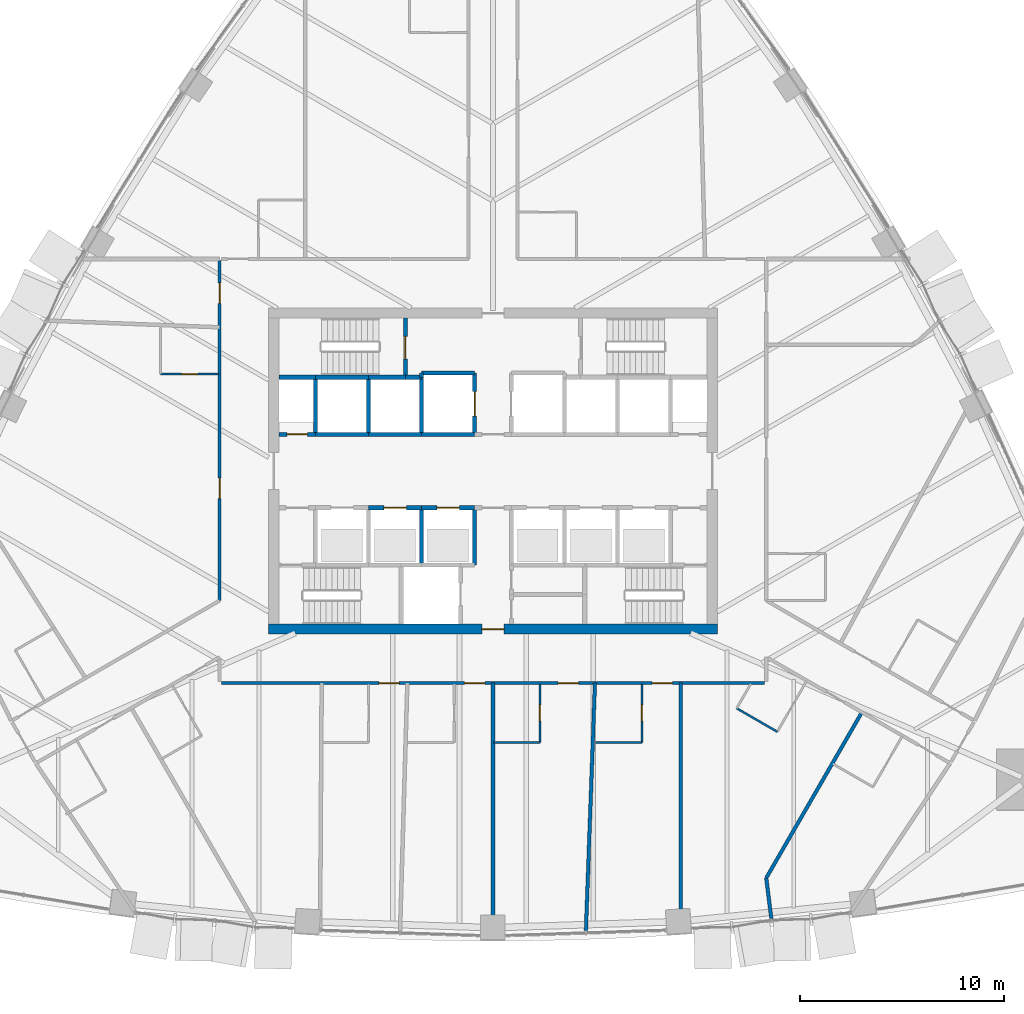
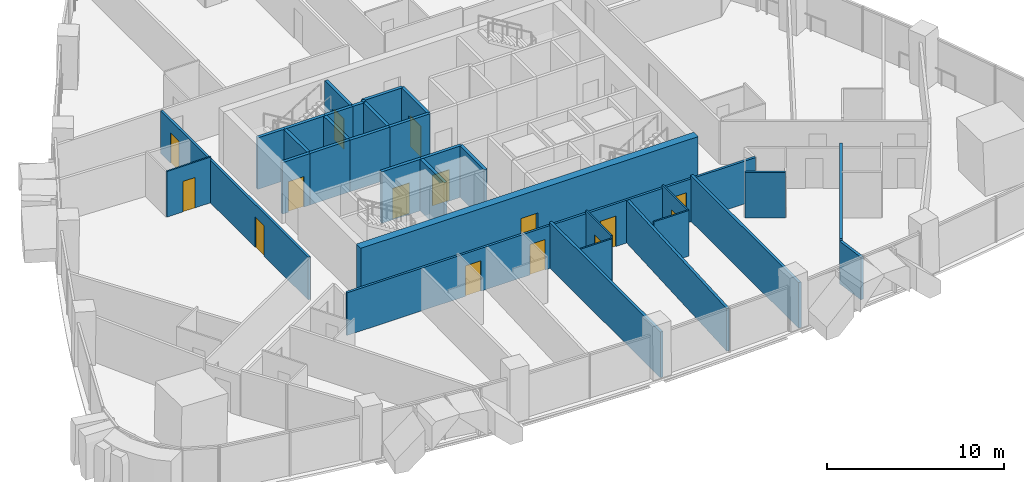
# One storey, part 11 of 18: 33 walls, 15 doors, 15 openings.
"""IFC4 building model written with IfcOpenShell, lengths in metres."""

from ifc_helpers import new_model, si_unit, direction, frame, frame_2d, origin, place, context, subcontext, project, spatial, rectangle, extrude, material, layer, layer_set, type_object, element, fill, save


model = new_model("IFC4")

# Units and contexts
model_context = context("Model", 3, precision=1e-05, world=origin(), true_north=direction((0.0, 1.0)))
body_context = subcontext(model_context, "Body", "Model", "MODEL_VIEW")
ifc_project = project(units=[si_unit("LENGTHUNIT", "METRE"), si_unit("AREAUNIT", "SQUARE_METRE"), si_unit("VOLUMEUNIT", "CUBIC_METRE"), si_unit("PLANEANGLEUNIT", "RADIAN"), si_unit("MASSUNIT", "GRAM", prefix="KILO")], contexts=[model_context])

# Site, building, storey
site_placement = place(None, origin())
site = spatial("IfcSite", under=ifc_project, at=site_placement, CompositionType="ELEMENT")
building_placement = place(site_placement, origin())
building = spatial("IfcBuilding", under=site, at=building_placement, Name="Sierra Prisma Convention Tower", CompositionType="ELEMENT")
storey_placement = place(building_placement, frame((0.0, 0.0, 81.300048828125)))
storey = spatial("IfcBuildingStorey", under=building, at=storey_placement, Name="L16", CompositionType="ELEMENT", Elevation=81.300048828125)

# Wall, opening, door
ifc_material_1 = material(Name="Gypsum board partition", Category="gypsum")
ifc_layer_1 = layer(ifc_material_1, 0.10009765625)
ifc_layer_set_1 = layer_set([ifc_layer_1], Name="Bathroom partition 100")
wall_type_1 = type_object("IfcWallType", Name="Bathroom partition 100", PredefinedType="PARTITIONING", material=ifc_layer_set_1)
wall_1_placement = place(storey_placement, frame((-13.429931640625, 4.7490234375, 0.0), z_axis=(0.0, 0.0, 1.0), x_axis=(-1.0, 0.0, 0.0)))
wall_1 = element("IfcWall", 1, at=wall_1_placement, inside=storey, type_object=wall_type_1, Name="Partition L16 bath 5", PredefinedType="PARTITIONING", context=body_context, shape_type="SweptSolid", body=[
    extrude(rectangle(XDim=2.8701171875, YDim=0.10009765625, at=frame_2d((1.43505859375, 0.0))), origin(), (0.0, 0.0, 1.0), 3.14990234375),
])
opening_1_placement = place(wall_1_placement, frame((1.034912109375, 0.0, 0.0)))
opening_1 = element("IfcOpeningElement", 2, at=opening_1_placement, cuts=wall_1, Name="Opening L16-D005", PredefinedType="OPENING", context=body_context, shape_type="SweptSolid", body=[
    extrude(rectangle(XDim=0.800048828125, YDim=2.10009765625, at=frame_2d((0.39990234375, 1.050048828125))), frame((0.0, 0.050048828125, 0.0), z_axis=(0.0, -1.0, 0.0), x_axis=(1.0, 0.0, 0.0)), (0.0, 0.0, 1.0), 0.10009765625),
])
ifc_material_2 = material(Name="Solid core timber door leaf", Category="wood")
door_type_1 = type_object("IfcDoorType", Name="Door 800x2100 plain", OperationType="SINGLE_SWING_LEFT", PredefinedType="DOOR", material=ifc_material_2)
door_1_placement = place(opening_1_placement, origin())
door_1 = element("IfcDoor", 3, at=door_1_placement, inside=storey, type_object=door_type_1, Name="Door L16 14", OperationType="SINGLE_SWING_RIGHT", OverallHeight=2.10009765625, OverallWidth=0.800048828125, PredefinedType="DOOR", context=body_context, shape_type="SweptSolid", body=[
    extrude(rectangle(XDim=0.800048828125, YDim=2.10009765625, at=frame_2d((0.39990234375, 1.050048828125))), frame((0.0, 0.02490234375, 0.0), z_axis=(0.0, -1.0, 0.0), x_axis=(1.0, 0.0, 0.0)), (0.0, 0.0, 1.0), 0.050048828125),
])
fill(opening_1, door_1)

wall_2_placement = place(storey_placement, frame((2.300048828125, -10.429931640625, 0.0), z_axis=(0.0, 0.0, 1.0), x_axis=(0.0, -1.0, 0.0)))
wall_2 = element("IfcWall", 4, at=wall_2_placement, inside=storey, type_object=wall_type_1, Name="Partition L16 bath 17", PredefinedType="PARTITIONING", context=body_context, shape_type="SweptSolid", body=[
    extrude(rectangle(XDim=2.8701171875, YDim=0.10009765625, at=frame_2d((1.43505859375, 0.0))), origin(), (0.0, 0.0, 1.0), 3.14990234375),
])
opening_2_placement = place(wall_2_placement, frame((1.034912109375, 0.0, 0.0)))
opening_2 = element("IfcOpeningElement", 5, at=opening_2_placement, cuts=wall_2, Name="Opening L16-D011", PredefinedType="OPENING", context=body_context, shape_type="SweptSolid", body=[
    extrude(rectangle(XDim=0.800048828125, YDim=2.10009765625, at=frame_2d((0.39990234375, 1.050048828125))), frame((0.0, 0.050048828125, 0.0), z_axis=(0.0, -1.0, 0.0), x_axis=(1.0, 0.0, 0.0)), (0.0, 0.0, 1.0), 0.10009765625),
])
door_2_placement = place(opening_2_placement, origin())
door_2 = element("IfcDoor", 6, at=door_2_placement, inside=storey, type_object=door_type_1, Name="Door L16 27", OperationType="SINGLE_SWING_LEFT", OverallHeight=2.10009765625, OverallWidth=0.800048828125, PredefinedType="DOOR", context=body_context, shape_type="SweptSolid", body=[
    extrude(rectangle(XDim=0.800048828125, YDim=2.10009765625, at=frame_2d((0.39990234375, 1.050048828125))), frame((0.0, 0.02490234375, 0.0), z_axis=(0.0, -1.0, 0.0), x_axis=(1.0, 0.0, 0.0)), (0.0, 0.0, 1.0), 0.050048828125),
])
fill(opening_2, door_2)

# Wall
wall_3_placement = place(storey_placement, frame((2.300048828125, -13.300048828125, 0.0), z_axis=(0.0, 0.0, 1.0), x_axis=(-1.0, 0.0, 0.0)))
element("IfcWall", 7, at=wall_3_placement, inside=storey, type_object=wall_type_1, Name="Partition L16 bath 18", PredefinedType="PARTITIONING", context=body_context, shape_type="SweptSolid", body=[
    extrude(rectangle(XDim=2.27001953125, YDim=0.10009765625, at=frame_2d((1.135009765625, 0.0))), origin(), (0.0, 0.0, 1.0), 2.947021484375),
])

# Wall, opening, door
wall_4_placement = place(storey_placement, frame((7.300048828125, -10.429931640625, 0.0), z_axis=(0.0, 0.0, 1.0), x_axis=(0.0, -1.0, 0.0)))
wall_4 = element("IfcWall", 8, at=wall_4_placement, inside=storey, type_object=wall_type_1, Name="Partition L16 bath 21", PredefinedType="PARTITIONING", context=body_context, shape_type="SweptSolid", body=[
    extrude(rectangle(XDim=2.8701171875, YDim=0.10009765625, at=frame_2d((1.43505859375, 0.0))), origin(), (0.0, 0.0, 1.0), 3.14990234375),
])
opening_3_placement = place(wall_4_placement, frame((1.034912109375, 0.0, 0.0)))
opening_3 = element("IfcOpeningElement", 9, at=opening_3_placement, cuts=wall_4, Name="Opening L16-D012", PredefinedType="OPENING", context=body_context, shape_type="SweptSolid", body=[
    extrude(rectangle(XDim=0.800048828125, YDim=2.10009765625, at=frame_2d((0.39990234375, 1.050048828125))), frame((0.0, 0.050048828125, 0.0), z_axis=(0.0, -1.0, 0.0), x_axis=(1.0, 0.0, 0.0)), (0.0, 0.0, 1.0), 0.10009765625),
])
door_3_placement = place(opening_3_placement, origin())
door_3 = element("IfcDoor", 10, at=door_3_placement, inside=storey, type_object=door_type_1, Name="Door L16 29", OperationType="SINGLE_SWING_RIGHT", OverallHeight=2.10009765625, OverallWidth=0.800048828125, PredefinedType="DOOR", context=body_context, shape_type="SweptSolid", body=[
    extrude(rectangle(XDim=0.800048828125, YDim=2.10009765625, at=frame_2d((0.39990234375, 1.050048828125))), frame((0.0, 0.02490234375, 0.0), z_axis=(0.0, -1.0, 0.0), x_axis=(1.0, 0.0, 0.0)), (0.0, 0.0, 1.0), 0.050048828125),
])
fill(opening_3, door_3)

# Walls
wall_5_placement = place(storey_placement, frame((7.300048828125, -13.300048828125, 0.0), z_axis=(0.0, 0.0, 1.0), x_axis=(-1.0, 0.0, 0.0)))
element("IfcWall", 11, at=wall_5_placement, inside=storey, type_object=wall_type_1, Name="Partition L16 bath 22", PredefinedType="PARTITIONING", context=body_context, shape_type="SweptSolid", body=[
    extrude(rectangle(XDim=2.27001953125, YDim=0.10009765625, at=frame_2d((1.135009765625, 0.0))), origin(), (0.0, 0.0, 1.0), 3.14990234375),
])
wall_6_placement = place(storey_placement, frame((13.94189453125, -12.78369140625, 0.0), z_axis=(0.0, 0.0, 1.0), x_axis=(-0.866007057882, 0.500031774688, 0.0)))
element("IfcWall", 12, at=wall_6_placement, inside=storey, type_object=wall_type_1, Name="Partition L16 bath 24", PredefinedType="PARTITIONING", context=body_context, shape_type="SweptSolid", body=[
    extrude(rectangle(XDim=2.300048828125, YDim=0.10009765625, at=frame_2d((1.14990234375, 0.0))), origin(), (0.0, 0.0, 1.0), 3.14990234375),
])

# Wall, opening, door
ifc_material_3 = material(Name="Concrete C30/37", Category="concrete")
ifc_layer_2 = layer(ifc_material_3, 0.199951171875)
ifc_layer_set_2 = layer_set([ifc_layer_2], Name="Core wall RC 200 C30/37")
wall_type_2 = type_object("IfcWallType", Name="Core wall RC 200 C30/37", PredefinedType="SOLIDWALL", material=ifc_layer_set_2)
wall_7_placement = place(storey_placement, frame((-8.699951171875, 1.800048828125, 0.0), z_axis=(0.0, 0.0, 1.0), x_axis=(-1.0, 0.0, 0.0)))
wall_7 = element("IfcWall", 13, at=wall_7_placement, inside=storey, type_object=wall_type_2, Name="Core wall L16 3", PredefinedType="SOLIDWALL", context=body_context, shape_type="SweptSolid", body=[
    extrude(rectangle(XDim=1.800048828125, YDim=0.199951171875, at=frame_2d((0.89990234375, 0.0))), origin(), (0.0, 0.0, 1.0), 3.550048828125),
])
opening_4_placement = place(wall_7_placement, frame((0.39990234375, 0.0, 0.0)))
opening_4 = element("IfcOpeningElement", 14, at=opening_4_placement, cuts=wall_7, Name="Opening L16-D029", PredefinedType="OPENING", context=body_context, shape_type="SweptSolid", body=[
    extrude(rectangle(XDim=1.0, YDim=2.10009765625, at=frame_2d((0.5, 1.050048828125))), frame((0.0, 0.10009765625, 0.0), z_axis=(0.0, -1.0, 0.0), x_axis=(1.0, 0.0, 0.0)), (0.0, 0.0, 1.0), 0.199951171875),
])
ifc_material_4 = material(Name="Steel fire door leaf", Category="steel")
door_type_2 = type_object("IfcDoorType", Name="Door 1000x2100 FD60S", OperationType="SINGLE_SWING_LEFT", PredefinedType="DOOR", material=ifc_material_4)
door_4_placement = place(opening_4_placement, origin())
door_4 = element("IfcDoor", 15, at=door_4_placement, inside=storey, type_object=door_type_2, Name="Door L16 51", OperationType="SINGLE_SWING_RIGHT", OverallHeight=2.10009765625, OverallWidth=1.0, PredefinedType="DOOR", context=body_context, shape_type="SweptSolid", body=[
    extrude(rectangle(XDim=1.0, YDim=2.10009765625, at=frame_2d((0.5, 1.050048828125))), frame((0.0, 0.02490234375, 0.0), z_axis=(0.0, -1.0, 0.0), x_axis=(1.0, 0.0, 0.0)), (0.0, 0.0, 1.0), 0.050048828125),
])
fill(opening_4, door_4)

# Walls
wall_8_placement = place(storey_placement, frame((-8.699951171875, 4.60009765625, 0.0), z_axis=(0.0, 0.0, 1.0), x_axis=(-1.0, 0.0, 0.0)))
element("IfcWall", 16, at=wall_8_placement, inside=storey, type_object=wall_type_2, Name="Core wall L16 4", PredefinedType="SOLIDWALL", context=body_context, shape_type="SweptSolid", body=[
    extrude(rectangle(XDim=1.800048828125, YDim=0.199951171875, at=frame_2d((0.89990234375, 0.0))), origin(), (0.0, 0.0, 1.0), 3.550048828125),
])
wall_9_placement = place(storey_placement, frame((-6.10009765625, 1.800048828125, 0.0), z_axis=(0.0, 0.0, 1.0), x_axis=(-1.0, 0.0, 0.0)))
element("IfcWall", 17, at=wall_9_placement, inside=storey, type_object=wall_type_2, Name="Core wall L16 8", PredefinedType="SOLIDWALL", context=body_context, shape_type="SweptSolid", body=[
    extrude(rectangle(XDim=2.599853515625, YDim=0.199951171875, at=frame_2d((1.2998046875, 0.0))), origin(), (0.0, 0.0, 1.0), 3.550048828125),
])
wall_10_placement = place(storey_placement, frame((-8.699951171875, 1.800048828125, 0.0), z_axis=(0.0, 0.0, 1.0), x_axis=(0.0, 1.0, 0.0)))
element("IfcWall", 18, at=wall_10_placement, inside=storey, type_object=wall_type_2, Name="Core wall L16 9", PredefinedType="SOLIDWALL", context=body_context, shape_type="SweptSolid", body=[
    extrude(rectangle(XDim=2.800048828125, YDim=0.199951171875, at=frame_2d((1.39990234375, 0.0))), origin(), (0.0, 0.0, 1.0), 3.550048828125),
])
wall_11_placement = place(storey_placement, frame((-6.10009765625, 4.60009765625, 0.0), z_axis=(0.0, 0.0, 1.0), x_axis=(-1.0, 0.0, 0.0)))
element("IfcWall", 19, at=wall_11_placement, inside=storey, type_object=wall_type_2, Name="Core wall L16 10", PredefinedType="SOLIDWALL", context=body_context, shape_type="SweptSolid", body=[
    extrude(rectangle(XDim=2.599853515625, YDim=0.199951171875, at=frame_2d((1.2998046875, 0.0))), origin(), (0.0, 0.0, 1.0), 3.550048828125),
])

# Wall, opening, door
wall_12_placement = place(storey_placement, frame((-6.10009765625, -1.800048828125, 0.0), z_axis=(0.0, 0.0, 1.0), x_axis=(1.0, 0.0, 0.0)))
wall_12 = element("IfcWall", 20, at=wall_12_placement, inside=storey, type_object=wall_type_2, Name="Core wall L16 13", PredefinedType="SOLIDWALL", context=body_context, shape_type="SweptSolid", body=[
    extrude(rectangle(XDim=2.60009765625, YDim=0.199951171875, at=frame_2d((1.300048828125, 0.0))), origin(), (0.0, 0.0, 1.0), 3.550048828125),
])
opening_5_placement = place(wall_12_placement, frame((0.75, 0.0, 0.0)))
opening_5 = element("IfcOpeningElement", 21, at=opening_5_placement, cuts=wall_12, Name="Opening L16-D017", PredefinedType="OPENING", context=body_context, shape_type="SweptSolid", body=[
    extrude(rectangle(XDim=1.10009765625, YDim=2.10009765625, at=frame_2d((0.550048828125, 1.050048828125))), frame((0.0, 0.10009765625, 0.0), z_axis=(0.0, -1.0, 0.0), x_axis=(1.0, 0.0, 0.0)), (0.0, 0.0, 1.0), 0.199951171875),
])
ifc_material_5 = material(Name="Steel fire door leaf", Category="steel")
door_type_3 = type_object("IfcDoorType", Name="Door 1100x2100 EI 90 sliding lift landing", OperationType="SLIDING_TO_LEFT", PredefinedType="DOOR", material=ifc_material_5)
door_5_placement = place(opening_5_placement, origin())
door_5 = element("IfcDoor", 22, at=door_5_placement, inside=storey, type_object=door_type_3, Name="Door L16 39", OperationType="SLIDING_TO_LEFT", OverallHeight=2.10009765625, OverallWidth=1.10009765625, PredefinedType="DOOR", context=body_context, shape_type="SweptSolid", body=[
    extrude(rectangle(XDim=1.10009765625, YDim=2.10009765625, at=frame_2d((0.550048828125, 1.050048828125))), frame((0.0, 0.02490234375, 0.0), z_axis=(0.0, -1.0, 0.0), x_axis=(1.0, 0.0, 0.0)), (0.0, 0.0, 1.0), 0.050048828125),
])
fill(opening_5, door_5)

# Walls
wall_13_placement = place(storey_placement, frame((-3.5, 1.800048828125, 0.0), z_axis=(0.0, 0.0, 1.0), x_axis=(-1.0, 0.0, 0.0)))
element("IfcWall", 23, at=wall_13_placement, inside=storey, type_object=wall_type_2, Name="Core wall L16 14", PredefinedType="SOLIDWALL", context=body_context, shape_type="SweptSolid", body=[
    extrude(rectangle(XDim=2.60009765625, YDim=0.199951171875, at=frame_2d((1.300048828125, 0.0))), origin(), (0.0, 0.0, 1.0), 3.550048828125),
])
wall_14_placement = place(storey_placement, frame((-6.10009765625, 1.800048828125, 0.0), z_axis=(0.0, 0.0, 1.0), x_axis=(0.0, 1.0, 0.0)))
element("IfcWall", 24, at=wall_14_placement, inside=storey, type_object=wall_type_2, Name="Core wall L16 15", PredefinedType="SOLIDWALL", context=body_context, shape_type="SweptSolid", body=[
    extrude(rectangle(XDim=2.800048828125, YDim=0.199951171875, at=frame_2d((1.39990234375, 0.0))), origin(), (0.0, 0.0, 1.0), 3.550048828125),
])
wall_15_placement = place(storey_placement, frame((-4.300048828125, 4.60009765625, 0.0), z_axis=(0.0, 0.0, 1.0), x_axis=(-1.0, 0.0, 0.0)))
element("IfcWall", 25, at=wall_15_placement, inside=storey, type_object=wall_type_2, Name="Core wall L16 16", PredefinedType="SOLIDWALL", context=body_context, shape_type="SweptSolid", body=[
    extrude(rectangle(XDim=1.800048828125, YDim=0.199951171875, at=frame_2d((0.89990234375, 0.0))), origin(), (0.0, 0.0, 1.0), 3.550048828125),
])
wall_16_placement = place(storey_placement, frame((-3.5, 4.60009765625, 0.0), z_axis=(0.0, 0.0, 1.0), x_axis=(-1.0, 0.0, 0.0)))
element("IfcWall", 26, at=wall_16_placement, inside=storey, type_object=wall_type_2, Name="Core wall L16 19", PredefinedType="SOLIDWALL", context=body_context, shape_type="SweptSolid", body=[
    extrude(rectangle(XDim=0.800048828125, YDim=0.199951171875, at=frame_2d((0.39990234375, 0.0))), origin(), (0.0, 0.0, 1.0), 3.550048828125),
])

# Wall, opening, door
wall_17_placement = place(storey_placement, frame((-4.300048828125, 4.60009765625, 0.0), z_axis=(0.0, 0.0, 1.0), x_axis=(0.0, 1.0, 0.0)))
wall_17 = element("IfcWall", 27, at=wall_17_placement, inside=storey, type_object=wall_type_2, Name="Core wall L16 20", PredefinedType="SOLIDWALL", context=body_context, shape_type="SweptSolid", body=[
    extrude(rectangle(XDim=2.89990234375, YDim=0.199951171875, at=frame_2d((1.449951171875, 0.0))), origin(), (0.0, 0.0, 1.0), 3.550048828125),
])
opening_6_placement = place(wall_17_placement, frame((0.89990234375, 0.0, 0.0)))
opening_6 = element("IfcOpeningElement", 28, at=opening_6_placement, cuts=wall_17, Name="Opening L16-D033", PredefinedType="OPENING", context=body_context, shape_type="SweptSolid", body=[
    extrude(rectangle(XDim=1.10009765625, YDim=2.10009765625, at=frame_2d((0.550048828125, 1.050048828125))), frame((0.0, 0.10009765625, 0.0), z_axis=(0.0, -1.0, 0.0), x_axis=(1.0, 0.0, 0.0)), (0.0, 0.0, 1.0), 0.199951171875),
])
ifc_material_6 = material(Name="Steel fire door leaf", Category="steel")
door_type_4 = type_object("IfcDoorType", Name="Door 1100x2100 FD90S", OperationType="SINGLE_SWING_LEFT", PredefinedType="DOOR", material=ifc_material_6)
door_6_placement = place(opening_6_placement, origin())
door_6 = element("IfcDoor", 29, at=door_6_placement, inside=storey, type_object=door_type_4, Name="Door L16 55", OperationType="SINGLE_SWING_RIGHT", OverallHeight=2.10009765625, OverallWidth=1.10009765625, PredefinedType="DOOR", context=body_context, shape_type="SweptSolid", body=[
    extrude(rectangle(XDim=1.10009765625, YDim=2.10009765625, at=frame_2d((0.550048828125, 1.050048828125))), frame((0.0, 0.02490234375, 0.0), z_axis=(0.0, -1.0, 0.0), x_axis=(1.0, 0.0, 0.0)), (0.0, 0.0, 1.0), 0.050048828125),
])
fill(opening_6, door_6)

# Wall
wall_18_placement = place(storey_placement, frame((-3.5, -4.60009765625, 0.0), z_axis=(0.0, 0.0, 1.0), x_axis=(0.0, 1.0, 0.0)))
element("IfcWall", 30, at=wall_18_placement, inside=storey, type_object=wall_type_2, Name="Core wall L16 22", PredefinedType="SOLIDWALL", context=body_context, shape_type="SweptSolid", body=[
    extrude(rectangle(XDim=2.800048828125, YDim=0.199951171875, at=frame_2d((1.39990234375, 0.0))), origin(), (0.0, 0.0, 1.0), 3.550048828125),
])

# Wall, opening, door
wall_19_placement = place(storey_placement, frame((-3.5, -1.800048828125, 0.0), z_axis=(0.0, 0.0, 1.0), x_axis=(1.0, 0.0, 0.0)))
wall_19 = element("IfcWall", 31, at=wall_19_placement, inside=storey, type_object=wall_type_2, Name="Core wall L16 23", PredefinedType="SOLIDWALL", context=body_context, shape_type="SweptSolid", body=[
    extrude(rectangle(XDim=2.60009765625, YDim=0.199951171875, at=frame_2d((1.300048828125, 0.0))), origin(), (0.0, 0.0, 1.0), 3.550048828125),
])
opening_7_placement = place(wall_19_placement, frame((0.75, 0.0, 0.0)))
opening_7 = element("IfcOpeningElement", 32, at=opening_7_placement, cuts=wall_19, Name="Opening L16-D018", PredefinedType="OPENING", context=body_context, shape_type="SweptSolid", body=[
    extrude(rectangle(XDim=1.10009765625, YDim=2.10009765625, at=frame_2d((0.550048828125, 1.050048828125))), frame((0.0, 0.10009765625, 0.0), z_axis=(0.0, -1.0, 0.0), x_axis=(1.0, 0.0, 0.0)), (0.0, 0.0, 1.0), 0.199951171875),
])
door_7_placement = place(opening_7_placement, origin())
door_7 = element("IfcDoor", 33, at=door_7_placement, inside=storey, type_object=door_type_3, Name="Door L16 40", OperationType="SLIDING_TO_LEFT", OverallHeight=2.10009765625, OverallWidth=1.10009765625, PredefinedType="DOOR", context=body_context, shape_type="SweptSolid", body=[
    extrude(rectangle(XDim=1.10009765625, YDim=2.10009765625, at=frame_2d((0.550048828125, 1.050048828125))), frame((0.0, 0.02490234375, 0.0), z_axis=(0.0, -1.0, 0.0), x_axis=(1.0, 0.0, 0.0)), (0.0, 0.0, 1.0), 0.050048828125),
])
fill(opening_7, door_7)

# Walls
wall_20_placement = place(storey_placement, frame((-0.89990234375, 1.800048828125, 0.0), z_axis=(0.0, 0.0, 1.0), x_axis=(-1.0, 0.0, 0.0)))
element("IfcWall", 34, at=wall_20_placement, inside=storey, type_object=wall_type_2, Name="Core wall L16 24", PredefinedType="SOLIDWALL", context=body_context, shape_type="SweptSolid", body=[
    extrude(rectangle(XDim=2.60009765625, YDim=0.199951171875, at=frame_2d((1.300048828125, 0.0))), origin(), (0.0, 0.0, 1.0), 3.550048828125),
])
wall_21_placement = place(storey_placement, frame((-3.5, 4.60009765625, 0.0), z_axis=(0.0, 0.0, 1.0), x_axis=(0.0, -1.0, 0.0)))
element("IfcWall", 35, at=wall_21_placement, inside=storey, type_object=wall_type_2, Name="Core wall L16 25", PredefinedType="SOLIDWALL", context=body_context, shape_type="SweptSolid", body=[
    extrude(rectangle(XDim=2.800048828125, YDim=0.199951171875, at=frame_2d((1.39990234375, 0.0))), origin(), (0.0, 0.0, 1.0), 3.550048828125),
])

# Wall, opening, door
wall_22_placement = place(storey_placement, frame((-0.89990234375, 1.800048828125, 0.0), z_axis=(0.0, 0.0, 1.0), x_axis=(0.0, 1.0, 0.0)))
wall_22 = element("IfcWall", 36, at=wall_22_placement, inside=storey, type_object=wall_type_2, Name="Core wall L16 26", PredefinedType="SOLIDWALL", context=body_context, shape_type="SweptSolid", body=[
    extrude(rectangle(XDim=3.0, YDim=0.199951171875, at=frame_2d((1.5, 0.0))), origin(), (0.0, 0.0, 1.0), 3.550048828125),
])
opening_8_placement = place(wall_22_placement, frame((0.89990234375, 0.0, 0.0)))
opening_8 = element("IfcOpeningElement", 37, at=opening_8_placement, cuts=wall_22, Name="Opening L16-D022", PredefinedType="OPENING", context=body_context, shape_type="SweptSolid", body=[
    extrude(rectangle(XDim=1.199951171875, YDim=2.10009765625, at=frame_2d((0.60009765625, 1.050048828125))), frame((0.0, 0.10009765625, 0.0), z_axis=(0.0, -1.0, 0.0), x_axis=(1.0, 0.0, 0.0)), (0.0, 0.0, 1.0), 0.199951171875),
])
ifc_material_7 = material(Name="Steel fire door leaf", Category="steel")
door_type_5 = type_object("IfcDoorType", Name="Door 1200x2100 EI 90 sliding lift landing", OperationType="SLIDING_TO_LEFT", PredefinedType="DOOR", material=ifc_material_7)
door_8_placement = place(opening_8_placement, origin())
door_8 = element("IfcDoor", 38, at=door_8_placement, inside=storey, type_object=door_type_5, Name="Door L16 44", OperationType="SLIDING_TO_RIGHT", OverallHeight=2.10009765625, OverallWidth=1.199951171875, PredefinedType="DOOR", context=body_context, shape_type="SweptSolid", body=[
    extrude(rectangle(XDim=1.199951171875, YDim=2.10009765625, at=frame_2d((0.60009765625, 1.050048828125))), frame((0.0, 0.02490234375, 0.0), z_axis=(0.0, -1.0, 0.0), x_axis=(1.0, 0.0, 0.0)), (0.0, 0.0, 1.0), 0.050048828125),
])
fill(opening_8, door_8)

# Walls
wall_23_placement = place(storey_placement, frame((-0.89990234375, 4.800048828125, 0.0), z_axis=(0.0, 0.0, 1.0), x_axis=(-1.0, 0.0, 0.0)))
element("IfcWall", 39, at=wall_23_placement, inside=storey, type_object=wall_type_2, Name="Core wall L16 27", PredefinedType="SOLIDWALL", context=body_context, shape_type="SweptSolid", body=[
    extrude(rectangle(XDim=2.60009765625, YDim=0.199951171875, at=frame_2d((1.300048828125, 0.0))), origin(), (0.0, 0.0, 1.0), 3.550048828125),
])
wall_24_placement = place(storey_placement, frame((-3.5, 4.800048828125, 0.0), z_axis=(0.0, 0.0, 1.0), x_axis=(0.0, -1.0, 0.0)))
element("IfcWall", 40, at=wall_24_placement, inside=storey, type_object=wall_type_2, Name="Core wall L16 28", PredefinedType="SOLIDWALL", context=body_context, shape_type="SweptSolid", body=[
    extrude(rectangle(XDim=0.199951171875, YDim=0.199951171875, at=frame_2d((0.10009765625, 0.0))), origin(), (0.0, 0.0, 1.0), 3.550048828125),
])
wall_25_placement = place(storey_placement, frame((-0.89990234375, -4.60009765625, 0.0), z_axis=(0.0, 0.0, 1.0), x_axis=(0.0, 1.0, 0.0)))
element("IfcWall", 41, at=wall_25_placement, inside=storey, type_object=wall_type_2, Name="Core wall L16 31", PredefinedType="SOLIDWALL", context=body_context, shape_type="SweptSolid", body=[
    extrude(rectangle(XDim=2.800048828125, YDim=0.199951171875, at=frame_2d((1.39990234375, 0.0))), origin(), (0.0, 0.0, 1.0), 3.550048828125),
])

# Wall, opening, door
ifc_material_8 = material(Name="Concrete C60/75", Category="concrete")
ifc_layer_3 = layer(ifc_material_8, 0.5)
ifc_layer_set_3 = layer_set([ifc_layer_3], Name="Core wall RC 500 C60/75")
wall_type_3 = type_object("IfcWallType", Name="Core wall RC 500 C60/75", PredefinedType="SHEAR", material=ifc_layer_set_3)
wall_26_placement = place(storey_placement, frame((-11.0, -7.75, 0.0), z_axis=(0.0, 0.0, 1.0), x_axis=(1.0, 0.0, 0.0)))
wall_26 = element("IfcWall", 42, at=wall_26_placement, inside=storey, type_object=wall_type_3, Name="Core wall S L16", PredefinedType="SHEAR", context=body_context, shape_type="SweptSolid", body=[
    extrude(rectangle(XDim=22.0, YDim=0.5, at=frame_2d((11.0, 0.0))), origin(), (0.0, 0.0, 1.0), 3.699951171875),
])
opening_9_placement = place(wall_26_placement, frame((10.449951171875, 0.0, 0.0)))
opening_9 = element("IfcOpeningElement", 43, at=opening_9_placement, cuts=wall_26, Name="Opening L16-D061", PredefinedType="OPENING", context=body_context, shape_type="SweptSolid", body=[
    extrude(rectangle(XDim=1.10009765625, YDim=2.10009765625, at=frame_2d((0.550048828125, 1.050048828125))), frame((0.0, 0.25, 0.0), z_axis=(0.0, -1.0, 0.0), x_axis=(1.0, 0.0, 0.0)), (0.0, 0.0, 1.0), 0.5),
])
ifc_material_9 = material(Name="Steel fire door leaf", Category="steel")
door_type_6 = type_object("IfcDoorType", Name="Door 1100x2100 FD30S", OperationType="SINGLE_SWING_LEFT", PredefinedType="DOOR", material=ifc_material_9)
door_9_placement = place(opening_9_placement, origin())
door_9 = element("IfcDoor", 44, at=door_9_placement, inside=storey, type_object=door_type_6, Name="Door L16 62", OperationType="SINGLE_SWING_LEFT", OverallHeight=2.10009765625, OverallWidth=1.10009765625, PredefinedType="DOOR", context=body_context, shape_type="SweptSolid", body=[
    extrude(rectangle(XDim=1.10009765625, YDim=2.10009765625, at=frame_2d((0.550048828125, 1.050048828125))), frame((0.0, 0.02490234375, 0.0), z_axis=(0.0, -1.0, 0.0), x_axis=(1.0, 0.0, 0.0)), (0.0, 0.0, 1.0), 0.050048828125),
])
fill(opening_9, door_9)

# Wall, openings, doors
ifc_material_10 = material(Name="Gypsum board partition", Category="gypsum")
ifc_layer_4 = layer(ifc_material_10, 0.14990234375)
ifc_layer_set_4 = layer_set([ifc_layer_4], Name="Corridor wall 150 gypsum EI 60")
wall_type_4 = type_object("IfcWallType", Name="Corridor wall 150 gypsum EI 60", PredefinedType="PARTITIONING", material=ifc_layer_set_4)
wall_27_placement = place(storey_placement, frame((-13.39990234375, 10.320068359375, 0.0), z_axis=(0.0, 0.0, 1.0), x_axis=(0.0, -1.0, 0.0)))
wall_27 = element("IfcWall", 45, at=wall_27_placement, inside=storey, type_object=wall_type_4, Name="Partition L16 corr 2", PredefinedType="PARTITIONING", context=body_context, shape_type="SweptSolid", body=[
    extrude(rectangle(XDim=16.6708984375, YDim=0.14990234375, at=frame_2d((8.33544921875, 0.0))), origin(), (0.0, 0.0, 1.0), 2.947021484375),
])
opening_10_placement = place(wall_27_placement, frame((1.095458984375, 0.0, 0.0)))
opening_10 = element("IfcOpeningElement", 46, at=opening_10_placement, cuts=wall_27, Name="Opening L16-D044", PredefinedType="OPENING", context=body_context, shape_type="SweptSolid", body=[
    extrude(rectangle(XDim=1.0, YDim=2.10009765625, at=frame_2d((0.5, 1.050048828125))), frame((0.0, 0.074951171875, 0.0), z_axis=(0.0, -1.0, 0.0), x_axis=(1.0, 0.0, 0.0)), (0.0, 0.0, 1.0), 0.14990234375),
])
opening_11_placement = place(wall_27_placement, frame((10.6708984375, 0.0, 0.0)))
opening_11 = element("IfcOpeningElement", 47, at=opening_11_placement, cuts=wall_27, Name="Opening L16-D045", PredefinedType="OPENING", context=body_context, shape_type="SweptSolid", body=[
    extrude(rectangle(XDim=1.0, YDim=2.10009765625, at=frame_2d((0.5, 1.050048828125))), frame((0.0, 0.074951171875, 0.0), z_axis=(0.0, -1.0, 0.0), x_axis=(1.0, 0.0, 0.0)), (0.0, 0.0, 1.0), 0.14990234375),
])
ifc_material_11 = material(Name="Steel fire door leaf", Category="steel")
door_type_7 = type_object("IfcDoorType", Name="Door 1000x2100 FD30S", OperationType="SINGLE_SWING_LEFT", PredefinedType="DOOR", material=ifc_material_11)
door_10_placement = place(opening_10_placement, origin())
door_10 = element("IfcDoor", 48, at=door_10_placement, inside=storey, type_object=door_type_7, Name="Door L16 12", OperationType="SINGLE_SWING_RIGHT", OverallHeight=2.10009765625, OverallWidth=1.0, PredefinedType="DOOR", context=body_context, shape_type="SweptSolid", body=[
    extrude(rectangle(XDim=1.0, YDim=2.10009765625, at=frame_2d((0.5, 1.050048828125))), frame((0.0, 0.02490234375, 0.0), z_axis=(0.0, -1.0, 0.0), x_axis=(1.0, 0.0, 0.0)), (0.0, 0.0, 1.0), 0.050048828125),
])
fill(opening_10, door_10)
door_11_placement = place(opening_11_placement, origin())
door_11 = element("IfcDoor", 49, at=door_11_placement, inside=storey, type_object=door_type_7, Name="Door L16 13", OperationType="SINGLE_SWING_RIGHT", OverallHeight=2.10009765625, OverallWidth=1.0, PredefinedType="DOOR", context=body_context, shape_type="SweptSolid", body=[
    extrude(rectangle(XDim=1.0, YDim=2.10009765625, at=frame_2d((0.5, 1.050048828125))), frame((0.0, 0.02490234375, 0.0), z_axis=(0.0, -1.0, 0.0), x_axis=(1.0, 0.0, 0.0)), (0.0, 0.0, 1.0), 0.050048828125),
])
fill(opening_11, door_11)

wall_28_placement = place(storey_placement, frame((-13.320068359375, -10.39990234375, 0.0), z_axis=(0.0, 0.0, 1.0), x_axis=(1.0, 0.0, 0.0)))
wall_28 = element("IfcWall", 50, at=wall_28_placement, inside=storey, type_object=wall_type_4, Name="Partition L16 corr 6", PredefinedType="PARTITIONING", context=body_context, shape_type="SweptSolid", body=[
    extrude(rectangle(XDim=26.64013671875, YDim=0.14990234375, at=frame_2d((13.320068359375, 0.0))), origin(), (0.0, 0.0, 1.0), 2.947021484375),
])
opening_12_placement = place(wall_28_placement, frame((7.719970703125, 0.0, 0.0)))
opening_12 = element("IfcOpeningElement", 51, at=opening_12_placement, cuts=wall_28, Name="Opening L16-D050", PredefinedType="OPENING", context=body_context, shape_type="SweptSolid", body=[
    extrude(rectangle(XDim=1.0, YDim=2.10009765625, at=frame_2d((0.5, 1.050048828125))), frame((0.0, 0.074951171875, 0.0), z_axis=(0.0, -1.0, 0.0), x_axis=(1.0, 0.0, 0.0)), (0.0, 0.0, 1.0), 0.14990234375),
])
opening_13_placement = place(wall_28_placement, frame((11.919921875, 0.0, 0.0)))
opening_13 = element("IfcOpeningElement", 52, at=opening_13_placement, cuts=wall_28, Name="Opening L16-D051", PredefinedType="OPENING", context=body_context, shape_type="SweptSolid", body=[
    extrude(rectangle(XDim=1.0, YDim=2.10009765625, at=frame_2d((0.5, 1.050048828125))), frame((0.0, 0.074951171875, 0.0), z_axis=(0.0, -1.0, 0.0), x_axis=(1.0, 0.0, 0.0)), (0.0, 0.0, 1.0), 0.14990234375),
])
opening_14_placement = place(wall_28_placement, frame((16.52001953125, 0.0, 0.0)))
opening_14 = element("IfcOpeningElement", 53, at=opening_14_placement, cuts=wall_28, Name="Opening L16-D052", PredefinedType="OPENING", context=body_context, shape_type="SweptSolid", body=[
    extrude(rectangle(XDim=1.0, YDim=2.10009765625, at=frame_2d((0.5, 1.050048828125))), frame((0.0, 0.074951171875, 0.0), z_axis=(0.0, -1.0, 0.0), x_axis=(1.0, 0.0, 0.0)), (0.0, 0.0, 1.0), 0.14990234375),
])
opening_15_placement = place(wall_28_placement, frame((21.1201171875, 0.0, 0.0)))
opening_15 = element("IfcOpeningElement", 54, at=opening_15_placement, cuts=wall_28, Name="Opening L16-D053", PredefinedType="OPENING", context=body_context, shape_type="SweptSolid", body=[
    extrude(rectangle(XDim=1.0, YDim=2.10009765625, at=frame_2d((0.5, 1.050048828125))), frame((0.0, 0.074951171875, 0.0), z_axis=(0.0, -1.0, 0.0), x_axis=(1.0, 0.0, 0.0)), (0.0, 0.0, 1.0), 0.14990234375),
])
door_12_placement = place(opening_12_placement, origin())
door_12 = element("IfcDoor", 55, at=door_12_placement, inside=storey, type_object=door_type_7, Name="Door L16 22", OperationType="SINGLE_SWING_LEFT", OverallHeight=2.10009765625, OverallWidth=1.0, PredefinedType="DOOR", context=body_context, shape_type="SweptSolid", body=[
    extrude(rectangle(XDim=1.0, YDim=2.10009765625, at=frame_2d((0.5, 1.050048828125))), frame((0.0, 0.02490234375, 0.0), z_axis=(0.0, -1.0, 0.0), x_axis=(1.0, 0.0, 0.0)), (0.0, 0.0, 1.0), 0.050048828125),
])
fill(opening_12, door_12)
door_13_placement = place(opening_13_placement, origin())
door_13 = element("IfcDoor", 56, at=door_13_placement, inside=storey, type_object=door_type_7, Name="Door L16 24", OperationType="SINGLE_SWING_LEFT", OverallHeight=2.10009765625, OverallWidth=1.0, PredefinedType="DOOR", context=body_context, shape_type="SweptSolid", body=[
    extrude(rectangle(XDim=1.0, YDim=2.10009765625, at=frame_2d((0.5, 1.050048828125))), frame((0.0, 0.02490234375, 0.0), z_axis=(0.0, -1.0, 0.0), x_axis=(1.0, 0.0, 0.0)), (0.0, 0.0, 1.0), 0.050048828125),
])
fill(opening_13, door_13)
door_14_placement = place(opening_14_placement, origin())
door_14 = element("IfcDoor", 57, at=door_14_placement, inside=storey, type_object=door_type_7, Name="Door L16 26", OperationType="SINGLE_SWING_LEFT", OverallHeight=2.10009765625, OverallWidth=1.0, PredefinedType="DOOR", context=body_context, shape_type="SweptSolid", body=[
    extrude(rectangle(XDim=1.0, YDim=2.10009765625, at=frame_2d((0.5, 1.050048828125))), frame((0.0, 0.02490234375, 0.0), z_axis=(0.0, -1.0, 0.0), x_axis=(1.0, 0.0, 0.0)), (0.0, 0.0, 1.0), 0.050048828125),
])
fill(opening_14, door_14)
door_15_placement = place(opening_15_placement, origin())
door_15 = element("IfcDoor", 58, at=door_15_placement, inside=storey, type_object=door_type_7, Name="Door L16 28", OperationType="SINGLE_SWING_LEFT", OverallHeight=2.10009765625, OverallWidth=1.0, PredefinedType="DOOR", context=body_context, shape_type="SweptSolid", body=[
    extrude(rectangle(XDim=1.0, YDim=2.10009765625, at=frame_2d((0.5, 1.050048828125))), frame((0.0, 0.02490234375, 0.0), z_axis=(0.0, -1.0, 0.0), x_axis=(1.0, 0.0, 0.0)), (0.0, 0.0, 1.0), 0.050048828125),
])
fill(opening_15, door_15)

# Walls
ifc_material_12 = material(Name="Acoustic gypsum board partition", Category="gypsum")
ifc_layer_5 = layer(ifc_material_12, 0.175048828125)
ifc_layer_set_5 = layer_set([ifc_layer_5], Name="Guest room party wall 175 acoustic EI 60")
wall_type_5 = type_object("IfcWallType", Name="Guest room party wall 175 acoustic EI 60", PredefinedType="PARTITIONING", material=ifc_layer_set_5)
wall_29_placement = place(storey_placement, frame((0.0, -10.39990234375, 0.0), z_axis=(0.0, 0.0, 1.0), x_axis=(0.0, -1.0, 0.0)))
element("IfcWall", 59, at=wall_29_placement, inside=storey, type_object=wall_type_5, Name="Partition L16 hparty 12", PredefinedType="PARTITIONING", context=body_context, shape_type="SweptSolid", body=[
    extrude(rectangle(XDim=12.52294921875, YDim=0.175048828125, at=frame_2d((6.261474609375, 0.0))), origin(), (0.0, 0.0, 1.0), 3.14990234375),
])
wall_30_placement = place(storey_placement, frame((5.0, -10.39990234375, 0.0), z_axis=(0.0, 0.0, 1.0), x_axis=(-0.036490670833, -0.999333993689, 0.0)))
element("IfcWall", 60, at=wall_30_placement, inside=storey, type_object=wall_type_5, Name="Partition L16 hparty 15", PredefinedType="PARTITIONING", context=body_context, shape_type="SweptSolid", body=[
    extrude(rectangle(XDim=12.14990234375, YDim=0.175048828125, at=frame_2d((6.074951171875, 0.0))), origin(), (0.0, 0.0, 1.0), 2.933837890625),
])
wall_31_placement = place(storey_placement, frame((9.199951171875, -10.39990234375, 0.0), z_axis=(0.0, 0.0, 1.0), x_axis=(0.0, -1.0, 0.0)))
element("IfcWall", 61, at=wall_31_placement, inside=storey, type_object=wall_type_5, Name="Partition L16 hparty 16", PredefinedType="PARTITIONING", context=body_context, shape_type="SweptSolid", body=[
    extrude(rectangle(XDim=12.212646484375, YDim=0.175048828125, at=frame_2d((6.1064453125, 0.0))), origin(), (0.0, 0.0, 1.0), 3.14990234375),
])
wall_32_placement = place(storey_placement, frame((18.089111328125, -11.82958984375, 0.0), z_axis=(0.0, 0.0, 1.0), x_axis=(-0.500005634617, -0.866022150612, 0.0)))
element("IfcWall", 62, at=wall_32_placement, inside=storey, type_object=wall_type_5, Name="Partition L16 hparty 18", PredefinedType="PARTITIONING", context=body_context, shape_type="SweptSolid", body=[
    extrude(rectangle(XDim=9.37841796875, YDim=0.175048828125, at=frame_2d((4.689208984375, 0.0))), origin(), (0.0, 0.0, 1.0), 3.093017578125),
])
wall_33_placement = place(storey_placement, frame((13.39990234375, -19.951416015625, 0.0), z_axis=(0.0, 0.0, 1.0), x_axis=(0.123344664517, -0.992363891793, 0.0)))
element("IfcWall", 63, at=wall_33_placement, inside=storey, type_object=wall_type_5, Name="Partition L16 hparty 19", PredefinedType="PARTITIONING", context=body_context, shape_type="SweptSolid", body=[
    extrude(rectangle(XDim=2.003173828125, YDim=0.175048828125, at=frame_2d((1.00146484375, 0.0))), origin(), (0.0, 0.0, 1.0), 2.933837890625),
])

save(model, "model.ifc")
